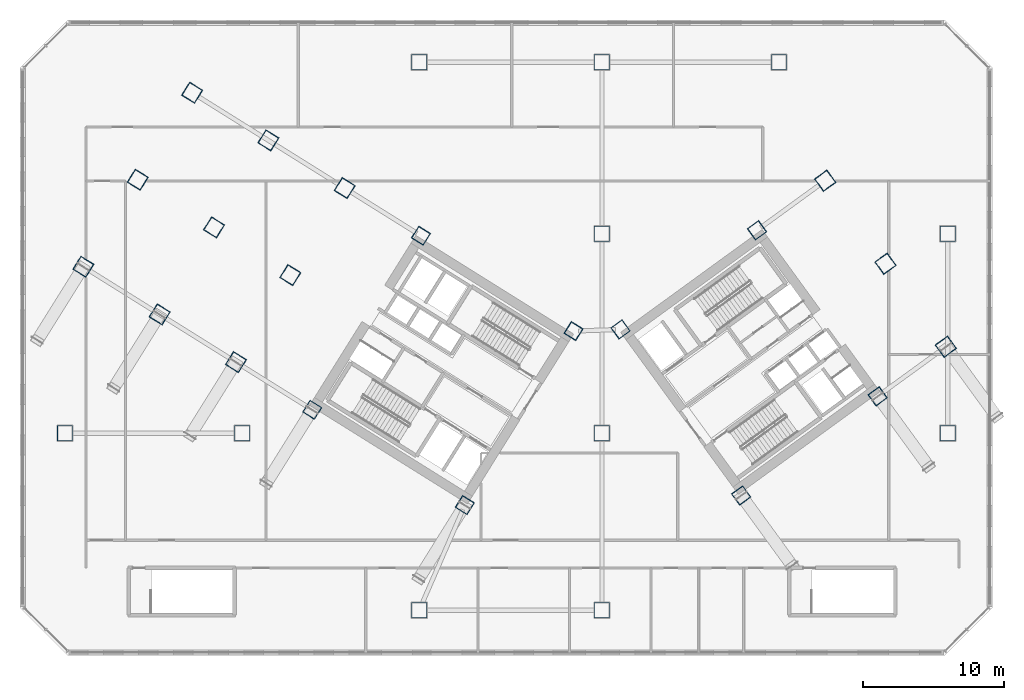
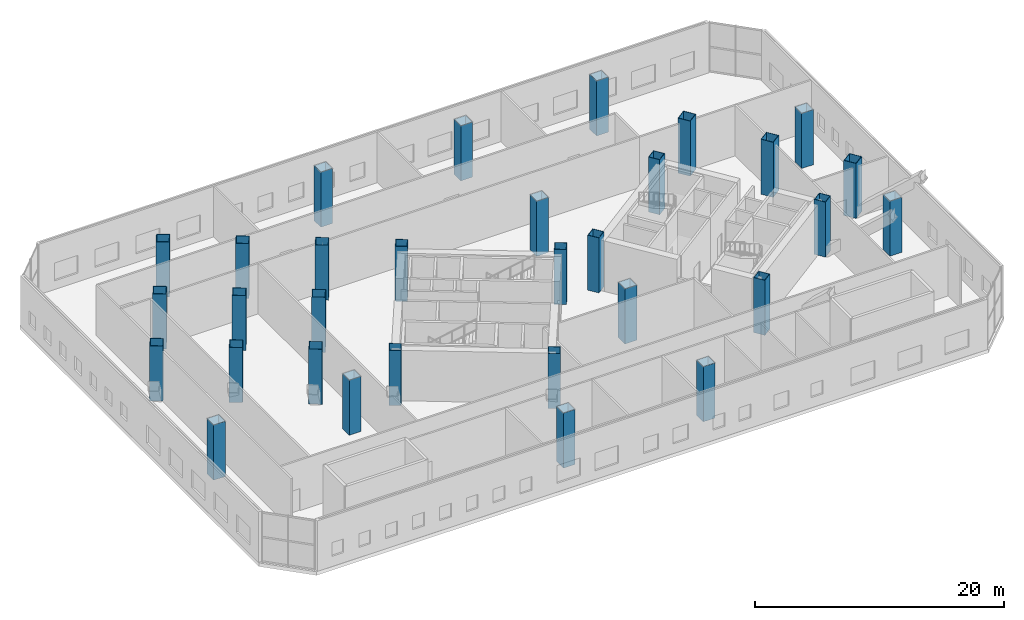
# One storey, part 1 of 23: 31 columns.
"""IFC4 building model written with IfcOpenShell, lengths in metres."""

from ifc_helpers import new_model, si_unit, direction, frame, origin, origin_2d, place, context, subcontext, project, spatial, hollow_rectangle, extrude, source, transform, mapped, material, material_profile, profile_set, type_object, element, save


model = new_model("IFC4")

# Units and contexts
model_context = context("Model", 3, precision=1e-05, world=origin(), true_north=direction((0.0, 1.0)))
body_context = subcontext(model_context, "Body", "Model", "MODEL_VIEW")
ifc_project = project(units=[si_unit("LENGTHUNIT", "METRE"), si_unit("AREAUNIT", "SQUARE_METRE"), si_unit("VOLUMEUNIT", "CUBIC_METRE"), si_unit("PLANEANGLEUNIT", "RADIAN"), si_unit("MASSUNIT", "GRAM", prefix="KILO")], contexts=[model_context])

# Site, building, storey
site_placement = place(None, origin())
site = spatial("IfcSite", under=ifc_project, at=site_placement, CompositionType="ELEMENT")
building_placement = place(site_placement, origin())
building = spatial("IfcBuilding", under=site, at=building_placement, Name="Tlacorven Tower", CompositionType="ELEMENT")
storey_placement = place(building_placement, frame((0.0, 0.0, 18.60009765625)))
storey = spatial("IfcBuildingStorey", under=building, at=storey_placement, Name="L04", CompositionType="ELEMENT", Elevation=18.60009765625)

# Columns
ifc_material = material(Name="Steel S460M", Category="steel")
ifc_material_profile_1 = material_profile(ifc_material, hollow_rectangle(XDim=1.0, YDim=1.0, WallThickness=0.0400390625, at=origin_2d()), Name="BOX 1000X1000X40")
ifc_profile_set_1 = profile_set([ifc_material_profile_1], Name="Steel S460M")
column_type_1 = type_object("IfcColumnType", Name="COL-TWR-S1", PredefinedType="COLUMN", material=ifc_profile_set_1)
shared_shape_1 = source(origin(), body_context, "Body", "SweptSolid", [
    extrude(hollow_rectangle(XDim=1.0, YDim=1.0, WallThickness=0.0400390625, at=origin_2d()), origin(), (0.0, 0.0, 1.0), 5.39990234375),
])
for number, where, z_axis, x_axis, name in (
    (1, (40.782958984375, 24.468505859375, 0.0), (0.0, 0.0, 1.0), (-0.848048096156, 0.529919264233, 0.0), "L04 column COL-L04-CW11"),
    (2, (33.046142578125, 12.0869140625, 0.0), (0.0, 0.0, 1.0), (-0.848048096156, 0.529919264233, 0.0), "L04 column COL-L04-CW12"),
    (3, (29.927978515625, 31.25146484375, 0.0), (0.0, 0.0, 1.0), (-0.848048096156, 0.529919264233, 0.0), "L04 column COL-L04-CW21"),
    (4, (22.191162109375, 18.869873046875, 0.0), (0.0, 0.0, 1.0), (-0.848048096156, 0.529919264233, 0.0), "L04 column COL-L04-CW22"),
    (5, (52.705322265625, 12.7734375, 0.0), (0.0, 0.0, 1.0), (0.809016994375, 0.587785252292, 0.0), "L04 column COL-L04-CE11"),
    (6, (44.123779296875, 24.5849609375, 0.0), (0.0, 0.0, 1.0), (0.809016994375, 0.587785252292, 0.0), "L04 column COL-L04-CE12"),
    (7, (62.41357421875, 19.826904296875, 0.0), (0.0, 0.0, 1.0), (0.809016994375, 0.587785252292, 0.0), "L04 column COL-L04-CE21"),
    (8, (53.83203125, 31.638427734375, 0.0), (0.0, 0.0, 1.0), (0.809016994375, 0.587785252292, 0.0), "L04 column COL-L04-CE22"),
):
    element("IfcColumn", number, at=place(storey_placement, frame(where, z_axis=z_axis, x_axis=x_axis)), inside=storey, type_object=column_type_1, Name=name, PredefinedType="COLUMN", context=body_context, shape_type="MappedRepresentation", body=[
        mapped(shared_shape_1, transform((0.0, 0.0, 0.0), scale=1.0)),
    ])
ifc_material_profile_2 = material_profile(ifc_material, hollow_rectangle(XDim=1.10009765625, YDim=1.10009765625, WallThickness=0.0400390625, at=origin_2d()), Name="BOX 1100X1100X40")
ifc_profile_set_2 = profile_set([ifc_material_profile_2], Name="Steel S460M")
column_type_2 = type_object("IfcColumnType", Name="COL-POD-M2", PredefinedType="COLUMN", material=ifc_profile_set_2)
shared_shape_2 = source(origin(), body_context, "Body", "SweptSolid", [
    extrude(hollow_rectangle(XDim=1.10009765625, YDim=1.10009765625, WallThickness=0.0400390625, at=origin_2d()), origin(), (0.0, 0.0, 1.0), 5.39990234375),
])
for number, where, z_axis, x_axis, name in (
    (9, (4.60009765625, 17.199951171875, 0.0), (0.0, 0.0, 1.0), (1.0, 0.0, 0.0), "L04 column COL-L04-P01"),
    (10, (17.199951171875, 17.199951171875, 0.0), (0.0, 0.0, 1.0), (1.0, 0.0, 0.0), "L04 column COL-L04-P02"),
    (11, (29.800048828125, 4.60009765625, 0.0), (0.0, 0.0, 1.0), (1.0, 0.0, 0.0), "L04 column COL-L04-P03"),
    (12, (29.800048828125, 43.60009765625, 0.0), (0.0, 0.0, 1.0), (1.0, 0.0, 0.0), "L04 column COL-L04-P04"),
    (13, (42.800048828125, 4.60009765625, 0.0), (0.0, 0.0, 1.0), (1.0, 0.0, 0.0), "L04 column COL-L04-P05"),
    (14, (42.800048828125, 17.199951171875, 0.0), (0.0, 0.0, 1.0), (1.0, 0.0, 0.0), "L04 column COL-L04-P06"),
    (15, (42.800048828125, 31.39990234375, 0.0), (0.0, 0.0, 1.0), (1.0, 0.0, 0.0), "L04 column COL-L04-P07"),
    (16, (42.800048828125, 43.60009765625, 0.0), (0.0, 0.0, 1.0), (1.0, 0.0, 0.0), "L04 column COL-L04-P08"),
    (17, (55.39990234375, 43.60009765625, 0.0), (0.0, 0.0, 1.0), (1.0, 0.0, 0.0), "L04 column COL-L04-P09"),
    (18, (67.39990234375, 17.199951171875, 0.0), (0.0, 0.0, 1.0), (1.0, 0.0, 0.0), "L04 column COL-L04-P10"),
    (19, (67.39990234375, 31.39990234375, 0.0), (0.0, 0.0, 1.0), (1.0, 0.0, 0.0), "L04 column COL-L04-P11"),
    (20, (24.50048828125, 34.642822265625, 0.0), (0.0, 0.0, 1.0), (-0.848048096156, 0.529919264233, 0.0), "L04 column COL-L04-WT11"),
    (21, (20.632080078125, 28.4521484375, 0.0), (0.0, 0.0, 1.0), (-0.848048096156, 0.529919264233, 0.0), "L04 column COL-L04-WT12"),
    (22, (16.763671875, 22.26123046875, 0.0), (0.0, 0.0, 1.0), (-0.848048096156, 0.529919264233, 0.0), "L04 column COL-L04-WT13"),
    (23, (19.072998046875, 38.034423828125, 0.0), (0.0, 0.0, 1.0), (-0.848048096156, 0.529919264233, 0.0), "L04 column COL-L04-WT21"),
    (24, (15.20458984375, 31.843505859375, 0.0), (0.0, 0.0, 1.0), (-0.848048096156, 0.529919264233, 0.0), "L04 column COL-L04-WT22"),
    (25, (11.336181640625, 25.65283203125, 0.0), (0.0, 0.0, 1.0), (-0.848048096156, 0.529919264233, 0.0), "L04 column COL-L04-WT23"),
    (26, (13.6455078125, 41.42578125, 0.0), (0.0, 0.0, 1.0), (-0.848048096156, 0.529919264233, 0.0), "L04 column COL-L04-WT31"),
    (27, (9.777099609375, 35.235107421875, 0.0), (0.0, 0.0, 1.0), (-0.848048096156, 0.529919264233, 0.0), "L04 column COL-L04-WT32"),
    (28, (5.90869140625, 29.044189453125, 0.0), (0.0, 0.0, 1.0), (-0.848048096156, 0.529919264233, 0.0), "L04 column COL-L04-WT33"),
    (29, (67.267822265625, 23.353515625, 0.0), (0.0, 0.0, 1.0), (0.809016994375, 0.587785252292, 0.0), "L04 column COL-L04-ET11"),
    (30, (62.976806640625, 29.25927734375, 0.0), (0.0, 0.0, 1.0), (0.809016994375, 0.587785252292, 0.0), "L04 column COL-L04-ET12"),
    (31, (58.68603515625, 35.165283203125, 0.0), (0.0, 0.0, 1.0), (0.809016994375, 0.587785252292, 0.0), "L04 column COL-L04-ET13"),
):
    element("IfcColumn", number, at=place(storey_placement, frame(where, z_axis=z_axis, x_axis=x_axis)), inside=storey, type_object=column_type_2, Name=name, PredefinedType="COLUMN", context=body_context, shape_type="MappedRepresentation", body=[
        mapped(shared_shape_2, transform((0.0, 0.0, 0.0), scale=1.0)),
    ])

save(model, "model.ifc")
